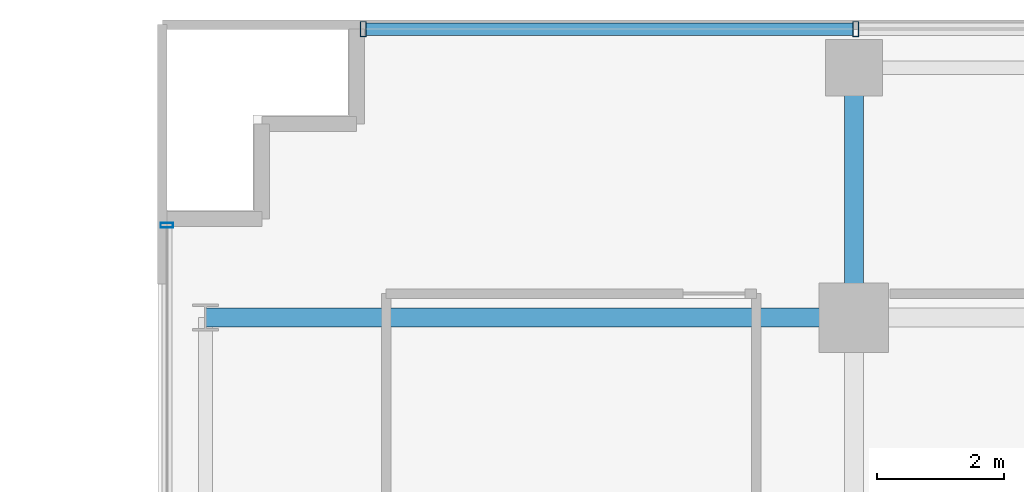
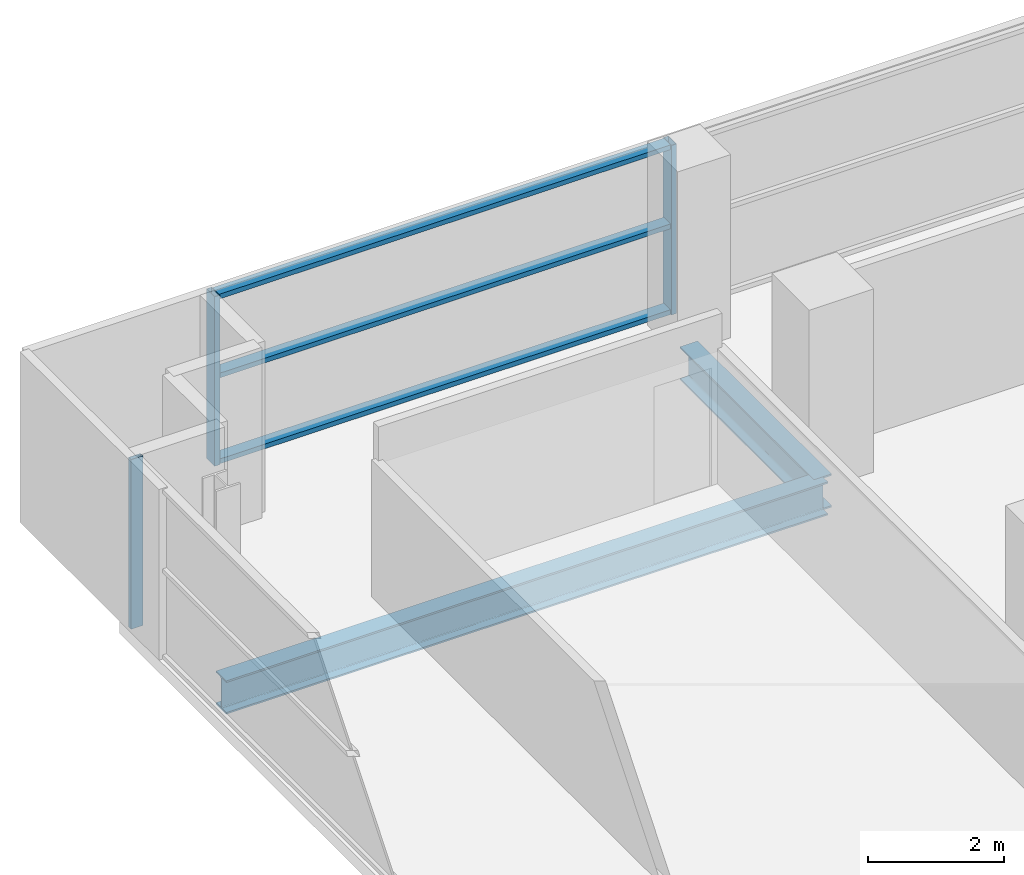
# One storey, part 17 of 31: 6 members, 2 beams, 2 elements without a shape of their own.
"""IFC4 building model written with IfcOpenShell, lengths in metres."""

from ifc_helpers import new_model, si_unit, direction, frame, origin, origin_2d, place, context, subcontext, project, spatial, hollow_rectangle, i_section, extrude, source, transform, mapped, material, layer, layer_set, material_profile, profile_set, type_object, element, aggregate, save


model = new_model("IFC4")

# Units and contexts
model_context = context("Model", 3, precision=1e-05, world=origin(), true_north=direction((0.0, 1.0)))
body_context = subcontext(model_context, "Body", "Model", "MODEL_VIEW")
ifc_project = project(units=[si_unit("LENGTHUNIT", "METRE"), si_unit("AREAUNIT", "SQUARE_METRE"), si_unit("VOLUMEUNIT", "CUBIC_METRE"), si_unit("PLANEANGLEUNIT", "RADIAN"), si_unit("MASSUNIT", "GRAM", prefix="KILO")], contexts=[model_context])

# Site, building, storey
site_placement = place(None, origin())
site = spatial("IfcSite", under=ifc_project, at=site_placement, CompositionType="ELEMENT")
building_placement = place(site_placement, origin())
building = spatial("IfcBuilding", under=site, at=building_placement, Name="Zarnakvel Exchange Tower", CompositionType="ELEMENT")
storey_placement = place(building_placement, frame((0.0, 0.0, 47.199951171875)))
storey = spatial("IfcBuildingStorey", under=building, at=storey_placement, Name="L12", CompositionType="ELEMENT", Elevation=47.199951171875)

# Beams
ifc_material_1 = material(Name="Steel S355", Category="steel")
ifc_material_profile_1 = material_profile(ifc_material_1, i_section(OverallWidth=0.300048828125, OverallDepth=0.60009765625, WebThickness=0.015380859375, FlangeThickness=0.030029296875, FilletRadius=0.027099609375, at=origin_2d()))
ifc_profile_set_1 = profile_set([ifc_material_profile_1], Name="Steel S355")
beam_type = type_object("IfcBeamType", Name="G-04", PredefinedType="BEAM", material=ifc_profile_set_1)
beam_1_placement = place(storey_placement, frame((-31.85009765625, 13.5, -0.52490234375), z_axis=(1.0, 0.0, 0.0), x_axis=(0.0, 1.0, 0.0)))
element("IfcBeam", 1, at=beam_1_placement, inside=storey, type_object=beam_type, Name="L12 Tower E-W Frame Beam", PredefinedType="BEAM", context=body_context, shape_type="SweptSolid", body=[
    extrude(i_section(OverallWidth=0.300048828125, OverallDepth=0.60009765625, WebThickness=0.015380859375, FlangeThickness=0.030029296875, FilletRadius=0.027099609375, at=origin_2d()), origin(), (0.0, 0.0, 1.0), 10.25),
])
beam_2_placement = place(storey_placement, frame((-21.60009765625, 13.5, -0.52490234375), z_axis=(0.0, 1.0, 0.0), x_axis=(-1.0, 0.0, 0.0)))
element("IfcBeam", 2, at=beam_2_placement, inside=storey, type_object=beam_type, Name="L12 Tower N-S Frame Beam", PredefinedType="BEAM", context=body_context, shape_type="SweptSolid", body=[
    extrude(i_section(OverallWidth=0.300048828125, OverallDepth=0.60009765625, WebThickness=0.015380859375, FlangeThickness=0.030029296875, FilletRadius=0.027099609375, at=origin_2d()), origin(), (0.0, 0.0, 1.0), 3.949951171875),
])

# Curtain wall, members
ifc_material_2 = material(Name="Architectural Bronze Anodised Aluminium", Category="aluminium")
ifc_layer_1 = layer(ifc_material_2, 0.239990234375)
ifc_layer_set_1 = layer_set([ifc_layer_1], Name="Architectural Bronze Anodised Aluminium")
curtain_wall_type_1 = type_object("IfcCurtainWallType", Name="CW-02", PredefinedType="NOTDEFINED", material=ifc_layer_set_1)
curtain_wall_1_placement = place(storey_placement, origin())
curtain_wall_1 = element("IfcCurtainWall", 3, at=curtain_wall_1_placement, inside=storey, type_object=curtain_wall_type_1, Name="L12 Curtain Wall CW-L12-N1 (CW-02)", PredefinedType="NOTDEFINED")
ifc_material_profile_2 = material_profile(ifc_material_2, hollow_rectangle(XDim=0.199951171875, YDim=0.0849609375, WallThickness=0.0048828125, at=origin_2d()))
ifc_profile_set_2 = profile_set([ifc_material_profile_2], Name="Architectural Bronze Anodised Aluminium")
member_type_1 = type_object("IfcMemberType", Name="CWT-02", PredefinedType="USERDEFINED", material=ifc_profile_set_2)
shared_shape_1 = source(origin(), body_context, "Body", "SweptSolid", [
    extrude(hollow_rectangle(XDim=0.199951171875, YDim=0.0849609375, WallThickness=0.0048828125, at=origin_2d()), origin(), (0.0, 0.0, 1.0), 7.693603515625),
])
member_1_placement = place(storey_placement, frame((-29.31005859375, 18.06005859375, 0.04248046875), z_axis=(1.0, 0.0, 0.0), x_axis=(0.0, 1.0, 0.0)))
member_1 = element("IfcMember", 4, at=member_1_placement, type_object=member_type_1, Name="CW-02 transom 1.1", ObjectType="TRANSOM", PredefinedType="USERDEFINED", context=body_context, shape_type="MappedRepresentation", body=[
    mapped(shared_shape_1, transform((0.0, 0.0, 0.0), x_axis=(1.0, 0.0, 0.0), y_axis=(0.0, 1.0, 0.0), z_axis=(0.0, 0.0, 1.0), scale=1.0)),
])
member_2_placement = place(storey_placement, frame((-29.31005859375, 18.06005859375, 1.588623046875), z_axis=(1.0, 0.0, 0.0), x_axis=(0.0, 1.0, 0.0)))
member_2 = element("IfcMember", 5, at=member_2_placement, type_object=member_type_1, Name="CW-02 transom 1.2", ObjectType="TRANSOM", PredefinedType="USERDEFINED", context=body_context, shape_type="MappedRepresentation", body=[
    mapped(shared_shape_1, transform((0.0, 0.0, 0.0), x_axis=(1.0, 0.0, 0.0), y_axis=(0.0, 1.0, 0.0), z_axis=(0.0, 0.0, 1.0), scale=1.0)),
])
member_3_placement = place(storey_placement, frame((-29.31005859375, 18.06005859375, 3.012451171875), z_axis=(1.0, 0.0, 0.0), x_axis=(0.0, 1.0, 0.0)))
member_3 = element("IfcMember", 6, at=member_3_placement, type_object=member_type_1, Name="CW-02 transom 1.3", ObjectType="TRANSOM", PredefinedType="USERDEFINED", context=body_context, shape_type="MappedRepresentation", body=[
    mapped(shared_shape_1, transform((0.0, 0.0, 0.0), x_axis=(1.0, 0.0, 0.0), y_axis=(0.0, 1.0, 0.0), z_axis=(0.0, 0.0, 1.0), scale=1.0)),
])
ifc_material_profile_3 = material_profile(ifc_material_2, hollow_rectangle(XDim=0.239990234375, YDim=0.090087890625, WallThickness=0.006103515625, at=origin_2d()))
ifc_profile_set_3 = profile_set([ifc_material_profile_3], Name="Architectural Bronze Anodised Aluminium")
member_type_2 = type_object("IfcMemberType", Name="CWM-02", PredefinedType="MULLION", material=ifc_profile_set_3)
shared_shape_2 = source(origin(), body_context, "Body", "SweptSolid", [
    extrude(hollow_rectangle(XDim=0.239990234375, YDim=0.090087890625, WallThickness=0.006103515625, at=origin_2d()), origin(), (0.0, 0.0, 1.0), 3.054931640625),
])
member_4_placement = place(storey_placement, frame((-29.35498046875, 18.06005859375, 0.0), z_axis=(0.0, 0.0, 1.0), x_axis=(0.0, 1.0, 0.0)))
member_4 = element("IfcMember", 7, at=member_4_placement, type_object=member_type_2, Name="CW-02 mullion 1", PredefinedType="MULLION", context=body_context, shape_type="MappedRepresentation", body=[
    mapped(shared_shape_2, transform((0.0, 0.0, 0.0), x_axis=(1.0, 0.0, 0.0), y_axis=(0.0, 1.0, 0.0), z_axis=(0.0, 0.0, 1.0), scale=1.0)),
])
member_5_placement = place(storey_placement, frame((-21.571533203125, 18.06005859375, 0.0), z_axis=(0.0, 0.0, 1.0), x_axis=(0.0, 1.0, 0.0)))
member_5 = element("IfcMember", 8, at=member_5_placement, type_object=member_type_2, Name="CW-02 mullion 2", PredefinedType="MULLION", context=body_context, shape_type="MappedRepresentation", body=[
    mapped(shared_shape_2, transform((0.0, 0.0, 0.0), x_axis=(1.0, 0.0, 0.0), y_axis=(0.0, 1.0, 0.0), z_axis=(0.0, 0.0, 1.0), scale=1.0)),
])
aggregate(curtain_wall_1, [member_4, member_5, member_1, member_2, member_3])

# Curtain wall, member
ifc_layer_2 = layer(ifc_material_2, 0.199951171875)
ifc_layer_set_2 = layer_set([ifc_layer_2], Name="Architectural Bronze Anodised Aluminium")
curtain_wall_type_2 = type_object("IfcCurtainWallType", Name="CW-04", PredefinedType="NOTDEFINED", material=ifc_layer_set_2)
curtain_wall_2_placement = place(storey_placement, origin())
curtain_wall_2 = element("IfcCurtainWall", 9, at=curtain_wall_2_placement, inside=storey, type_object=curtain_wall_type_2, Name="L12 Curtain Wall CW-L12-WN (CW-04)", PredefinedType="NOTDEFINED")
ifc_material_profile_4 = material_profile(ifc_material_2, hollow_rectangle(XDim=0.199951171875, YDim=0.074951171875, WallThickness=0.0048828125, at=origin_2d()))
ifc_profile_set_4 = profile_set([ifc_material_profile_4], Name="Architectural Bronze Anodised Aluminium")
member_type_3 = type_object("IfcMemberType", Name="CWM-04", PredefinedType="MULLION", material=ifc_profile_set_4)
shared_shape_3 = source(origin(), body_context, "Body", "SweptSolid", [
    extrude(hollow_rectangle(XDim=0.199951171875, YDim=0.074951171875, WallThickness=0.0048828125, at=origin_2d()), origin(), (0.0, 0.0, 1.0), 3.054931640625),
])
member_6_placement = place(storey_placement, frame((-32.4599609375, 14.96240234375, 0.0), z_axis=(0.0, 0.0, 1.0), x_axis=(-1.0, 0.0, 0.0)))
member_6 = element("IfcMember", 10, at=member_6_placement, type_object=member_type_3, Name="CW-04 mullion 3", PredefinedType="MULLION", context=body_context, shape_type="MappedRepresentation", body=[
    mapped(shared_shape_3, transform((0.0, 0.0, 0.0), x_axis=(1.0, 0.0, 0.0), y_axis=(0.0, 1.0, 0.0), z_axis=(0.0, 0.0, 1.0), scale=1.0)),
])
aggregate(curtain_wall_2, [member_6])

save(model, "model.ifc")
